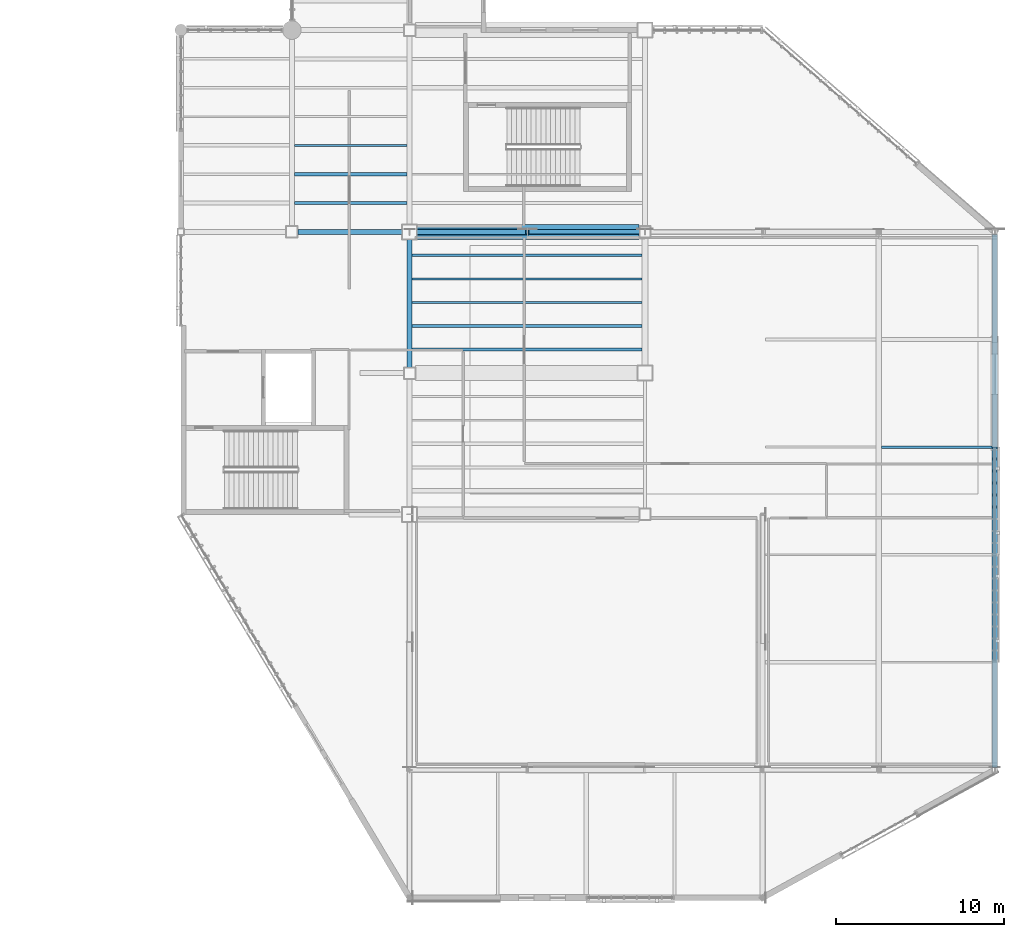
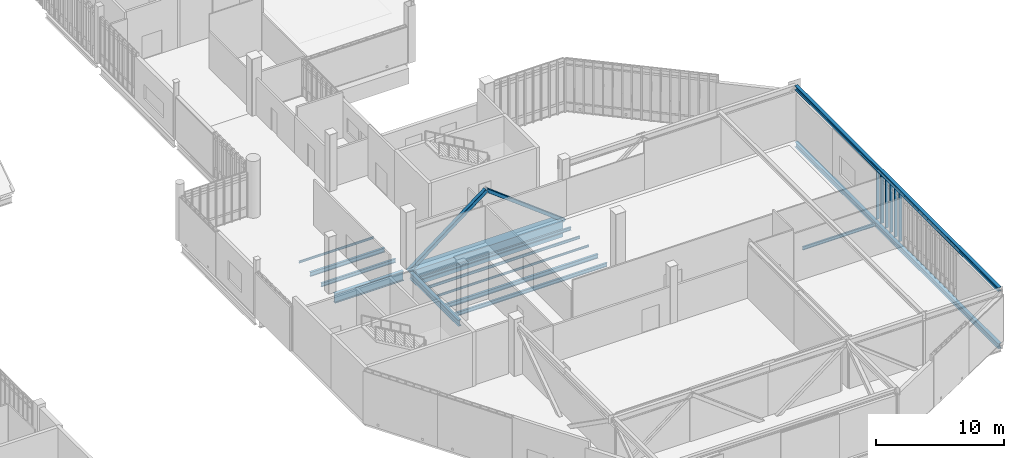
# One storey, part 37 of 135: 14 beams, 8 members, 1 element without a shape of its own.
"""IFC4 building model written with IfcOpenShell, lengths in metres."""

from ifc_helpers import new_model, si_unit, direction, frame, origin, origin_2d, place, context, subcontext, project, spatial, rectangle, hollow_rectangle, i_section, extrude, material, material_profile, profile_set, type_object, element, aggregate, save


model = new_model("IFC4")

# Units and contexts
model_context = context("Model", 3, precision=1e-05, world=origin(), true_north=direction((0.0, 1.0)))
body_context = subcontext(model_context, "Body", "Model", "MODEL_VIEW")
ifc_project = project(units=[si_unit("LENGTHUNIT", "METRE"), si_unit("AREAUNIT", "SQUARE_METRE"), si_unit("VOLUMEUNIT", "CUBIC_METRE"), si_unit("PLANEANGLEUNIT", "RADIAN"), si_unit("MASSUNIT", "GRAM", prefix="KILO")], contexts=[model_context])

# Site, building, storey
site_placement = place(None, origin())
site = spatial("IfcSite", under=ifc_project, at=site_placement, CompositionType="ELEMENT")
building_placement = place(site_placement, origin())
building = spatial("IfcBuilding", under=site, at=building_placement, Name="Larkvane Passage Sports Hall", CompositionType="ELEMENT")
storey_placement = place(building_placement, frame((0.0, 0.0, 16.800048828125)))
storey = spatial("IfcBuildingStorey", under=building, at=storey_placement, Name="L03", CompositionType="ELEMENT", Elevation=16.800048828125)

# Beams
ifc_material_1 = material(Name="Steel S355JR", Category="steel")
ifc_material_profile_1 = material_profile(ifc_material_1, i_section(OverallWidth=0.300048828125, OverallDepth=0.389892578125, WebThickness=0.010009765625, FlangeThickness=0.01611328125, FilletRadius=0.01806640625, at=origin_2d()), Name="H-390x300x10x16")
ifc_profile_set_1 = profile_set([ifc_material_profile_1], Name="Steel S355JR")
beam_type_1 = type_object("IfcBeamType", Name="BM-STL-H390", PredefinedType="BEAM", material=ifc_profile_set_1)
beam_1_placement = place(storey_placement, frame((166.39990234375, 7.75, 4.824951171875), z_axis=(0.0, 1.0, 0.0), x_axis=(-1.0, 0.0, 0.0)))
element("IfcBeam", 1, at=beam_1_placement, inside=storey, type_object=beam_type_1, Name="Cantilever transverse top beam CT-E3A--6", PredefinedType="BEAM", context=body_context, shape_type="SweptSolid", body=[
    extrude(i_section(OverallWidth=0.300048828125, OverallDepth=0.389892578125, WebThickness=0.010009765625, FlangeThickness=0.01611328125, FilletRadius=0.01806640625, at=origin_2d()), origin(), (0.0, 0.0, 1.0), 31.699951171875),
])
ifc_material_profile_2 = material_profile(ifc_material_1, i_section(OverallWidth=0.300048828125, OverallDepth=0.488037109375, WebThickness=0.010986328125, FlangeThickness=0.01806640625, FilletRadius=0.02197265625, at=origin_2d()), Name="H-488x300x11x18")
ifc_profile_set_2 = profile_set([ifc_material_profile_2], Name="Steel S355JR")
beam_type_2 = type_object("IfcBeamType", Name="BM-STL-H488", PredefinedType="BEAM", material=ifc_profile_set_2)
beam_2_placement = place(storey_placement, frame((166.39990234375, 7.75, -0.56396484375), z_axis=(0.0, 1.0, 0.0), x_axis=(-1.0, 0.0, 0.0)))
element("IfcBeam", 2, at=beam_2_placement, inside=storey, type_object=beam_type_2, Name="Cantilever transverse flr beam CT-E3A--6", PredefinedType="BEAM", context=body_context, shape_type="SweptSolid", body=[
    extrude(i_section(OverallWidth=0.300048828125, OverallDepth=0.488037109375, WebThickness=0.010986328125, FlangeThickness=0.01806640625, FilletRadius=0.02197265625, at=origin_2d()), origin(), (0.0, 0.0, 1.0), 31.699951171875),
])
ifc_material_2 = material(Name="Steel S460N", Category="steel")
ifc_material_profile_3 = material_profile(ifc_material_2, i_section(OverallWidth=0.300048828125, OverallDepth=0.58203125, WebThickness=0.011962890625, FlangeThickness=0.01708984375, FilletRadius=0.02197265625, at=origin_2d()), Name="H-582x300x12x17")
ifc_profile_set_3 = profile_set([ifc_material_profile_3], Name="Steel S460N")
beam_type_3 = type_object("IfcBeamType", Name="BM-STL-H582", PredefinedType="BEAM", material=ifc_profile_set_3)
beam_3_placement = place(storey_placement, frame((131.60009765625, 31.550048828125, -0.631103515625), z_axis=(0.0, 1.0, 0.0), x_axis=(-1.0, 0.0, 0.0)))
element("IfcBeam", 3, at=beam_3_placement, inside=storey, type_object=beam_type_3, Name="Girder BM5-Y-L03-18-1045", PredefinedType="BEAM", context=body_context, shape_type="SweptSolid", body=[
    extrude(i_section(OverallWidth=0.300048828125, OverallDepth=0.58203125, WebThickness=0.011962890625, FlangeThickness=0.01708984375, FilletRadius=0.02197265625, at=origin_2d()), origin(), (0.0, 0.0, 1.0), 7.599853515625),
])
ifc_material_profile_4 = material_profile(ifc_material_2, i_section(OverallWidth=0.300048828125, OverallDepth=0.89990234375, WebThickness=0.01611328125, FlangeThickness=0.028076171875, FilletRadius=0.02197265625, at=origin_2d()), Name="H-900x300x16x28")
ifc_profile_set_4 = profile_set([ifc_material_profile_4], Name="Steel S460N")
beam_type_4 = type_object("IfcBeamType", Name="BM-STL-H900", PredefinedType="BEAM", material=ifc_profile_set_4)
beam_4_placement = place(storey_placement, frame((124.949951171875, 39.60009765625, -0.7900390625), z_axis=(1.0, 0.0, 0.0), x_axis=(0.0, 1.0, 0.0)))
element("IfcBeam", 4, at=beam_4_placement, inside=storey, type_object=beam_type_4, Name="Girder BM5-X-L03-F-0988", PredefinedType="BEAM", context=body_context, shape_type="SweptSolid", body=[
    extrude(i_section(OverallWidth=0.300048828125, OverallDepth=0.89990234375, WebThickness=0.01611328125, FlangeThickness=0.028076171875, FilletRadius=0.02197265625, at=origin_2d()), origin(), (0.0, 0.0, 1.0), 6.199951171875),
])

# Curtain wall, members
ifc_material_3 = material(Name="Thermally broken aluminium and low-E glazing", Category="aluminium")
curtain_wall_type = type_object("IfcCurtainWallType", Name="CW-STICK-FOYER", PredefinedType="USERDEFINED", material=ifc_material_3)
curtain_wall_placement = place(storey_placement, origin())
curtain_wall = element("IfcCurtainWall", 5, at=curtain_wall_placement, inside=storey, type_object=curtain_wall_type, Name="Curtain wall CW5-L03-114", ObjectType="STICK CURTAIN WALL", PredefinedType="USERDEFINED")
ifc_material_4 = material(Name="Anodised aluminium 6063-T6", Category="aluminium")
ifc_material_profile_5 = material_profile(ifc_material_4, rectangle(XDim=0.090087890625, YDim=0.280029296875, at=origin_2d()), Name="ALU-MUL-90x280")
ifc_profile_set_5 = profile_set([ifc_material_profile_5], Name="Anodised aluminium 6063-T6")
member_type_1 = type_object("IfcMemberType", Name="CW-MUL-90x280", PredefinedType="MULLION", material=ifc_profile_set_5)
member_1_placement = place(storey_placement, frame((166.39990234375, 26.7548828125, 0.0), z_axis=(0.0, 0.0, 1.0), x_axis=(0.0, -1.0, 0.0)))
member_1 = element("IfcMember", 6, at=member_1_placement, type_object=member_type_1, Name="CW-03 mullion 1", PredefinedType="MULLION", context=body_context, shape_type="SweptSolid", body=[
    extrude(rectangle(XDim=0.090087890625, YDim=0.280029296875, at=origin_2d()), origin(), (0.0, 0.0, 1.0), 4.617919921875),
])
member_2_placement = place(storey_placement, frame((166.39990234375, 26.0888671875, 0.0), z_axis=(0.0, 0.0, 1.0), x_axis=(0.0, -1.0, 0.0)))
member_2 = element("IfcMember", 7, at=member_2_placement, type_object=member_type_1, Name="CW-03 mullion 2", PredefinedType="MULLION", context=body_context, shape_type="SweptSolid", body=[
    extrude(rectangle(XDim=0.090087890625, YDim=0.280029296875, at=origin_2d()), origin(), (0.0, 0.0, 1.0), 4.617919921875),
])
member_3_placement = place(storey_placement, frame((166.39990234375, 25.377685546875, 0.0), z_axis=(0.0, 0.0, 1.0), x_axis=(0.0, -1.0, 0.0)))
member_3 = element("IfcMember", 8, at=member_3_placement, type_object=member_type_1, Name="CW-03 mullion 3", PredefinedType="MULLION", context=body_context, shape_type="SweptSolid", body=[
    extrude(rectangle(XDim=0.090087890625, YDim=0.280029296875, at=origin_2d()), origin(), (0.0, 0.0, 1.0), 4.617919921875),
])
member_4_placement = place(storey_placement, frame((166.39990234375, 24.666748046875, 0.0), z_axis=(0.0, 0.0, 1.0), x_axis=(0.0, -1.0, 0.0)))
member_4 = element("IfcMember", 9, at=member_4_placement, type_object=member_type_1, Name="CW-03 mullion 4", PredefinedType="MULLION", context=body_context, shape_type="SweptSolid", body=[
    extrude(rectangle(XDim=0.090087890625, YDim=0.280029296875, at=origin_2d()), origin(), (0.0, 0.0, 1.0), 4.617919921875),
])
member_5_placement = place(storey_placement, frame((166.39990234375, 23.95556640625, 0.0), z_axis=(0.0, 0.0, 1.0), x_axis=(0.0, -1.0, 0.0)))
member_5 = element("IfcMember", 10, at=member_5_placement, type_object=member_type_1, Name="CW-03 mullion 5", PredefinedType="MULLION", context=body_context, shape_type="SweptSolid", body=[
    extrude(rectangle(XDim=0.090087890625, YDim=0.280029296875, at=origin_2d()), origin(), (0.0, 0.0, 1.0), 4.617919921875),
])
member_6_placement = place(storey_placement, frame((166.39990234375, 23.244384765625, 0.0), z_axis=(0.0, 0.0, 1.0), x_axis=(0.0, -1.0, 0.0)))
member_6 = element("IfcMember", 11, at=member_6_placement, type_object=member_type_1, Name="CW-03 mullion 6", PredefinedType="MULLION", context=body_context, shape_type="SweptSolid", body=[
    extrude(rectangle(XDim=0.090087890625, YDim=0.280029296875, at=origin_2d()), origin(), (0.0, 0.0, 1.0), 4.617919921875),
])
aggregate(curtain_wall, [member_1, member_2, member_3, member_4, member_5, member_6])

# Beams
ifc_material_profile_6 = material_profile(ifc_material_1, i_section(OverallWidth=0.10009765625, OverallDepth=0.199951171875, WebThickness=0.005615234375, FlangeThickness=0.008056640625, FilletRadius=0.008056640625, at=origin_2d()), Name="H-200x100x5.5x8")
ifc_profile_set_6 = profile_set([ifc_material_profile_6], Name="Steel S355JR")
beam_type_5 = type_object("IfcBeamType", Name="JST-STL-H200", PredefinedType="JOIST", material=ifc_profile_set_6)
beam_5_placement = place(storey_placement, frame((124.75, 44.742919921875, -0.43994140625), z_axis=(1.0, 0.0, 0.0), x_axis=(0.0, 1.0, 0.0)))
element("IfcBeam", 12, at=beam_5_placement, inside=storey, type_object=beam_type_5, Name="Composite joist L03 17/F-3", PredefinedType="JOIST", context=body_context, shape_type="SweptSolid", body=[
    extrude(i_section(OverallWidth=0.10009765625, OverallDepth=0.199951171875, WebThickness=0.005615234375, FlangeThickness=0.008056640625, FilletRadius=0.008056640625, at=origin_2d()), origin(), (0.0, 0.0, 1.0), 6.699951171875),
])
beam_6_placement = place(storey_placement, frame((131.75, 35.39990234375, -0.43994140625), z_axis=(1.0, 0.0, 0.0), x_axis=(0.0, 1.0, 0.0)))
element("IfcBeam", 13, at=beam_6_placement, inside=storey, type_object=beam_type_5, Name="Composite joist L03 18/E-3", PredefinedType="JOIST", context=body_context, shape_type="SweptSolid", body=[
    extrude(i_section(OverallWidth=0.10009765625, OverallDepth=0.199951171875, WebThickness=0.005615234375, FlangeThickness=0.008056640625, FilletRadius=0.008056640625, at=origin_2d()), origin(), (0.0, 0.0, 1.0), 13.675048828125),
])
ifc_material_profile_7 = material_profile(ifc_material_1, i_section(OverallWidth=0.125, OverallDepth=0.25, WebThickness=0.006103515625, FlangeThickness=0.009033203125, FilletRadius=0.008056640625, at=origin_2d()), Name="H-250x125x6x9")
ifc_profile_set_7 = profile_set([ifc_material_profile_7], Name="Steel S355JR")
beam_type_6 = type_object("IfcBeamType", Name="JST-STL-H250", PredefinedType="JOIST", material=ifc_profile_set_7)
beam_7_placement = place(storey_placement, frame((131.75, 36.800048828125, -0.465087890625), z_axis=(1.0, 0.0, 0.0), x_axis=(0.0, 1.0, 0.0)))
element("IfcBeam", 14, at=beam_7_placement, inside=storey, type_object=beam_type_6, Name="Composite joist L03 18/E-4", PredefinedType="JOIST", context=body_context, shape_type="SweptSolid", body=[
    extrude(i_section(OverallWidth=0.125, OverallDepth=0.25, WebThickness=0.006103515625, FlangeThickness=0.009033203125, FilletRadius=0.008056640625, at=origin_2d()), origin(), (0.0, 0.0, 1.0), 13.675048828125),
])
ifc_material_profile_8 = material_profile(ifc_material_1, i_section(OverallWidth=0.14990234375, OverallDepth=0.300048828125, WebThickness=0.006591796875, FlangeThickness=0.009033203125, FilletRadius=0.012939453125, at=origin_2d()), Name="H-300x150x6.5x9")
ifc_profile_set_8 = profile_set([ifc_material_profile_8], Name="Steel S355JR")
beam_type_7 = type_object("IfcBeamType", Name="JST-STL-H300", PredefinedType="JOIST", material=ifc_profile_set_8)
beam_8_placement = place(storey_placement, frame((131.75, 38.199951171875, -0.489990234375), z_axis=(1.0, 0.0, 0.0), x_axis=(0.0, 1.0, 0.0)))
element("IfcBeam", 15, at=beam_8_placement, inside=storey, type_object=beam_type_7, Name="Composite joist L03 18/E-5", PredefinedType="JOIST", context=body_context, shape_type="SweptSolid", body=[
    extrude(i_section(OverallWidth=0.14990234375, OverallDepth=0.300048828125, WebThickness=0.006591796875, FlangeThickness=0.009033203125, FilletRadius=0.012939453125, at=origin_2d()), origin(), (0.0, 0.0, 1.0), 13.675048828125),
])
beam_9_placement = place(storey_placement, frame((159.659912109375, 26.800048828125, -0.469970703125), z_axis=(1.0, 0.0, 0.0), x_axis=(0.0, 1.0, 0.0)))
element("IfcBeam", 16, at=beam_9_placement, inside=storey, type_object=beam_type_7, Name="Cantilever floor joist CT-E3A--5-3", PredefinedType="JOIST", context=body_context, shape_type="SweptSolid", body=[
    extrude(i_section(OverallWidth=0.14990234375, OverallDepth=0.300048828125, WebThickness=0.006591796875, FlangeThickness=0.009033203125, FilletRadius=0.012939453125, at=origin_2d()), origin(), (0.0, 0.0, 1.0), 6.580078125),
])
ifc_material_profile_9 = material_profile(ifc_material_1, i_section(OverallWidth=0.175048828125, OverallDepth=0.35009765625, WebThickness=0.007080078125, FlangeThickness=0.010986328125, FilletRadius=0.012939453125, at=origin_2d()), Name="H-350x175x7x11")
ifc_profile_set_9 = profile_set([ifc_material_profile_9], Name="Steel S355JR")
beam_type_8 = type_object("IfcBeamType", Name="JST-STL-H350", PredefinedType="JOIST", material=ifc_profile_set_9)
beam_10_placement = place(storey_placement, frame((124.75, 41.314208984375, -0.51513671875), z_axis=(1.0, 0.0, 0.0), x_axis=(0.0, 1.0, 0.0)))
element("IfcBeam", 17, at=beam_10_placement, inside=storey, type_object=beam_type_8, Name="Composite joist L03 17/F-1", PredefinedType="JOIST", context=body_context, shape_type="SweptSolid", body=[
    extrude(i_section(OverallWidth=0.175048828125, OverallDepth=0.35009765625, WebThickness=0.007080078125, FlangeThickness=0.010986328125, FilletRadius=0.012939453125, at=origin_2d()), origin(), (0.0, 0.0, 1.0), 6.699951171875),
])
beam_11_placement = place(storey_placement, frame((131.75, 32.60009765625, -0.51513671875), z_axis=(1.0, 0.0, 0.0), x_axis=(0.0, 1.0, 0.0)))
element("IfcBeam", 18, at=beam_11_placement, inside=storey, type_object=beam_type_8, Name="Composite joist L03 18/E-1", PredefinedType="JOIST", context=body_context, shape_type="SweptSolid", body=[
    extrude(i_section(OverallWidth=0.175048828125, OverallDepth=0.35009765625, WebThickness=0.007080078125, FlangeThickness=0.010986328125, FilletRadius=0.012939453125, at=origin_2d()), origin(), (0.0, 0.0, 1.0), 13.675048828125),
])
ifc_material_profile_10 = material_profile(ifc_material_1, i_section(OverallWidth=0.199951171875, OverallDepth=0.39990234375, WebThickness=0.008056640625, FlangeThickness=0.012939453125, FilletRadius=0.012939453125, at=origin_2d()), Name="H-400x200x8x13")
ifc_profile_set_10 = profile_set([ifc_material_profile_10], Name="Steel S355JR")
beam_type_9 = type_object("IfcBeamType", Name="JST-STL-H400", PredefinedType="JOIST", material=ifc_profile_set_10)
beam_12_placement = place(storey_placement, frame((124.75, 43.028564453125, -0.5400390625), z_axis=(1.0, 0.0, 0.0), x_axis=(0.0, 1.0, 0.0)))
element("IfcBeam", 19, at=beam_12_placement, inside=storey, type_object=beam_type_9, Name="Composite joist L03 17/F-2", PredefinedType="JOIST", context=body_context, shape_type="SweptSolid", body=[
    extrude(i_section(OverallWidth=0.199951171875, OverallDepth=0.39990234375, WebThickness=0.008056640625, FlangeThickness=0.012939453125, FilletRadius=0.012939453125, at=origin_2d()), origin(), (0.0, 0.0, 1.0), 6.699951171875),
])
beam_13_placement = place(storey_placement, frame((131.75, 34.0, -0.5400390625), z_axis=(1.0, 0.0, 0.0), x_axis=(0.0, 1.0, 0.0)))
element("IfcBeam", 20, at=beam_13_placement, inside=storey, type_object=beam_type_9, Name="Composite joist L03 18/E-2", PredefinedType="JOIST", context=body_context, shape_type="SweptSolid", body=[
    extrude(i_section(OverallWidth=0.199951171875, OverallDepth=0.39990234375, WebThickness=0.008056640625, FlangeThickness=0.012939453125, FilletRadius=0.012939453125, at=origin_2d()), origin(), (0.0, 0.0, 1.0), 13.675048828125),
])

# Members
ifc_material_profile_11 = material_profile(ifc_material_2, hollow_rectangle(XDim=0.300048828125, YDim=0.300048828125, WallThickness=0.011962890625, InnerFilletRadius=0.011962890625, OuterFilletRadius=0.02392578125, at=origin_2d()), Name="SHS-300x300x12")
ifc_profile_set_11 = profile_set([ifc_material_profile_11], Name="Steel S460N")
member_type_2 = type_object("IfcMemberType", Name="MBR-BR-SHS300", PredefinedType="BRACE", material=ifc_profile_set_11)
member_7_placement = place(storey_placement, frame((138.60009765625, 39.60009765625, 4.725830078125), z_axis=(0.79507511045, 0.0, -0.606510979903), x_axis=(0.0, 1.0, 0.0)))
element("IfcMember", 21, at=member_7_placement, inside=storey, type_object=member_type_2, Name="Cantilever truss CT-E3A-2 web diagonal 2", PredefinedType="BRACE", context=body_context, shape_type="SweptSolid", body=[
    extrude(hollow_rectangle(XDim=0.300048828125, YDim=0.300048828125, WallThickness=0.011962890625, InnerFilletRadius=0.011962890625, OuterFilletRadius=0.02392578125, at=origin_2d()), origin(), (0.0, 0.0, 1.0), 8.80419921875),
])
ifc_material_profile_12 = material_profile(ifc_material_2, hollow_rectangle(XDim=0.35009765625, YDim=0.35009765625, WallThickness=0.01611328125, InnerFilletRadius=0.01611328125, OuterFilletRadius=0.031982421875, at=origin_2d()), Name="SHS-350x350x16")
ifc_profile_set_12 = profile_set([ifc_material_profile_12], Name="Steel S460N")
member_type_3 = type_object("IfcMemberType", Name="MBR-BR-SHS350", PredefinedType="BRACE", material=ifc_profile_set_12)
member_8_placement = place(storey_placement, frame((131.60009765625, 39.60009765625, -0.614013671875), z_axis=(0.79507511045, 0.0, 0.606510979903), x_axis=(0.0, 1.0, 0.0)))
element("IfcMember", 22, at=member_8_placement, inside=storey, type_object=member_type_3, Name="Cantilever truss CT-E3A-2 web diagonal 1", PredefinedType="BRACE", context=body_context, shape_type="SweptSolid", body=[
    extrude(hollow_rectangle(XDim=0.35009765625, YDim=0.35009765625, WallThickness=0.01611328125, InnerFilletRadius=0.01611328125, OuterFilletRadius=0.031982421875, at=origin_2d()), origin(), (0.0, 0.0, 1.0), 8.80419921875),
])

# Beam
ifc_material_5 = material(Name="Concrete C50/60", Category="concrete")
ifc_material_profile_13 = material_profile(ifc_material_5, rectangle(XDim=0.89990234375, YDim=1.5, at=origin_2d()), Name="PT-GIR-900x1500")
ifc_profile_set_13 = profile_set([ifc_material_profile_13], Name="Concrete C50/60")
beam_type_10 = type_object("IfcBeamType", Name="PTG-900x1500", PredefinedType="BEAM", material=ifc_profile_set_13)
beam_14_placement = place(storey_placement, frame((132.050048828125, 39.60009765625, -1.090087890625), z_axis=(1.0, 0.0, 0.0), x_axis=(0.0, 1.0, 0.0)))
element("IfcBeam", 23, at=beam_14_placement, inside=storey, type_object=beam_type_10, Name="Post-tensioned transfer girder BM5-X-L03-F-0989", PredefinedType="BEAM", context=body_context, shape_type="SweptSolid", body=[
    extrude(rectangle(XDim=0.89990234375, YDim=1.5, at=origin_2d()), origin(), (0.0, 0.0, 1.0), 13.199951171875),
])

save(model, "model.ifc")
